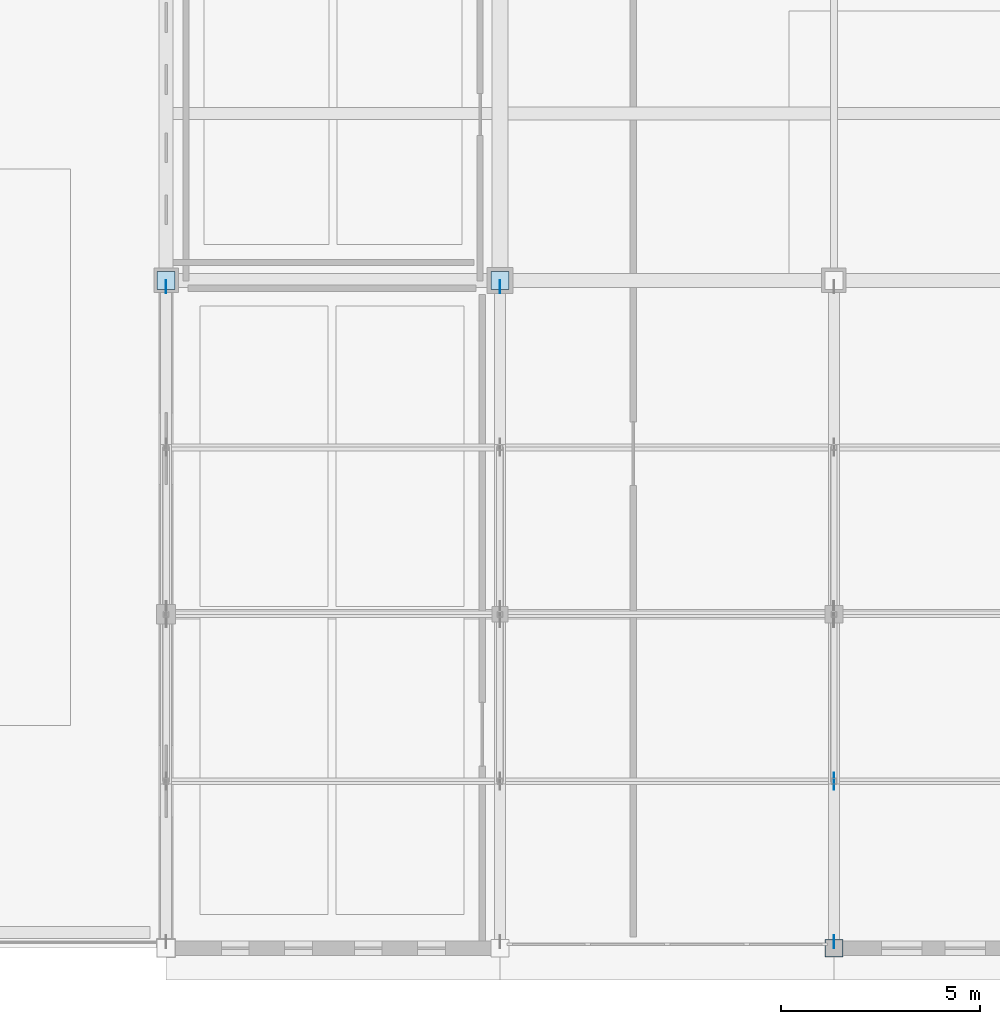
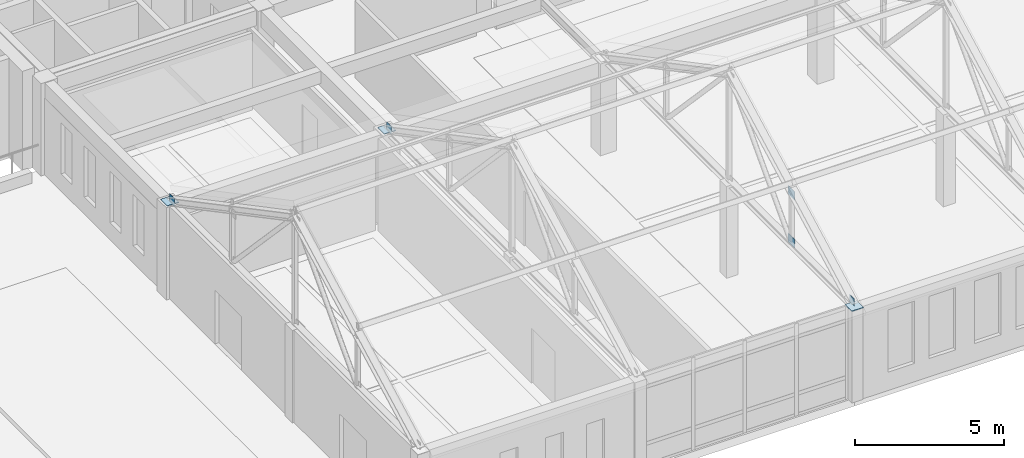
# One storey, part 27 of 47: 8 plates.
"""IFC4 building model written with IfcOpenShell, lengths in metres."""

import ifcopenshell
import ifcopenshell.guid

model = None  # the IFC model being written
_history = None  # IfcOwnerHistory: only IFC2X3 demands one
_inside = {}  # id of a spatial element -> (the spatial element, [elements in it])
_under = {}  # id of a project, library or spatial element -> (it, [spatial elements below it])
_declared = {}  # id of a project -> (the project, [libraries it declares])
_typed = {}  # id of a type object -> (the type object, [elements of that type])
_made_of = {}  # id of a material, layer set ... -> (it, [elements and type objects made of it])


def new_model(schema):
    """Start an empty IFC model of exactly this schema.

    Asked for "IFC4X3", IfcOpenShell would pick the latest addendum, in which some entities
    have other attributes; the version numbers below select the first issue.
    IFC2X3 requires an IfcOwnerHistory on every rooted entity: one is made here for all.
    """
    global model, _history
    if schema == "IFC4X3":
        model = ifcopenshell.file(schema_version=(4, 3, 0, 0))
    else:
        model = ifcopenshell.file(schema=schema)
    _inside.clear()
    _under.clear()
    _declared.clear()
    _typed.clear()
    _made_of.clear()
    _history = None
    if model.schema == "IFC2X3":
        org = make("IfcOrganization", Name="unknown")
        user = make(
            "IfcPersonAndOrganization",
            ThePerson=make("IfcPerson", FamilyName="unknown"),
            TheOrganization=org,
        )
        app = make(
            "IfcApplication",
            ApplicationDeveloper=org,
            Version="unknown",
            ApplicationFullName="unknown",
            ApplicationIdentifier="unknown",
        )
        _history = make(
            "IfcOwnerHistory",
            OwningUser=user,
            OwningApplication=app,
            ChangeAction="ADDED",
            CreationDate=0,
        )
    return model


def make(cls, **values):
    """One entity of the class cls with the attributes given. An attribute that is None is left unset."""
    return model.create_entity(
        cls, **{name: value for name, value in values.items() if value is not None}
    )


def rooted(cls, **values):
    """An entity with a GlobalId (a new one), such as an element, a storey or a relation."""
    return make(cls, GlobalId=ifcopenshell.guid.new(), OwnerHistory=_history, **values)


def si_unit(unit_type, name, prefix=None):
    """IfcSIUnit, for example si_unit("LENGTHUNIT", "METRE", prefix="MILLI")."""
    return make("IfcSIUnit", UnitType=unit_type, Prefix=prefix, Name=name)


def assignment(units):
    """IfcUnitAssignment: the units of a project."""
    return None if units is None else make("IfcUnitAssignment", Units=units)


def point(xyz):
    """IfcCartesianPoint."""
    return None if xyz is None else make("IfcCartesianPoint", Coordinates=xyz)


def direction(xyz):
    """IfcDirection."""
    return None if xyz is None else make("IfcDirection", DirectionRatios=xyz)


def frame(location, z_axis=None, x_axis=None):
    """IfcAxis2Placement3D, a coordinate frame: its origin and axes. An axis left out is left unset."""
    return make(
        "IfcAxis2Placement3D",
        Location=point(location),
        Axis=direction(z_axis),
        RefDirection=direction(x_axis),
    )


def frame_2d(location, x_axis=None):
    """IfcAxis2Placement2D, a coordinate frame in the plane: its origin and x axis."""
    return make(
        "IfcAxis2Placement2D", Location=point(location), RefDirection=direction(x_axis)
    )


def origin():
    """The frame at (0, 0, 0) with its axes left unset."""
    return frame((0.0, 0.0, 0.0))


def origin_2d():
    """The frame at (0, 0) in the plane with its x axis left unset."""
    return frame_2d((0.0, 0.0))


def place(relative_to, where):
    """IfcLocalPlacement: puts the frame where relative to a parent placement (None: the world)."""
    return make(
        "IfcLocalPlacement", PlacementRelTo=relative_to, RelativePlacement=where
    )


def context(
    kind, dimensions, precision=None, world=None, true_north=None, identifier=None
):
    """IfcGeometricRepresentationContext, for example the 3D "Model" context."""
    return make(
        "IfcGeometricRepresentationContext",
        ContextIdentifier=identifier,
        ContextType=kind,
        CoordinateSpaceDimension=dimensions,
        Precision=precision,
        WorldCoordinateSystem=world,
        TrueNorth=true_north,
    )


def subcontext(parent, identifier, kind, view, scale=None):
    """IfcGeometricRepresentationSubContext, for example "Body" below "Model"."""
    return make(
        "IfcGeometricRepresentationSubContext",
        ContextIdentifier=identifier,
        ContextType=kind,
        ParentContext=parent,
        TargetScale=scale,
        TargetView=view,
    )


def project(units=None, contexts=None):
    """IfcProject with its units and contexts."""
    return rooted(
        "IfcProject",
        Name="project",
        RepresentationContexts=contexts,
        UnitsInContext=assignment(units),
    )


def spatial(cls, under=None, at=None, **own):
    """A site, building, storey or space (cls), placed at a placement, below another one or the project."""
    s = rooted(cls, ObjectPlacement=at, **own)
    if under is not None:
        _under.setdefault(under.id(), (under, []))[1].append(s)
    return s


def profile(cls, at=None, kind="AREA", **sizes):
    """A parametric profile (cls). Its sizes go by their IFC names, for example OverallWidth=200.0."""
    return make(cls, ProfileType=kind, Position=at, **sizes)


def rectangle(**sizes):
    """IfcRectangleProfileDef."""
    return profile("IfcRectangleProfileDef", **sizes)


def extrude(swept, where, along, depth):
    """IfcExtrudedAreaSolid: the profile swept, set in the frame where, extruded along a direction by depth."""
    return make(
        "IfcExtrudedAreaSolid",
        SweptArea=swept,
        Position=where,
        ExtrudedDirection=direction(along),
        Depth=depth,
    )


def shape(context_of_items, identifier, shape_type, items):
    """IfcShapeRepresentation: the items that make up one representation, for example the "Body"."""
    return make(
        "IfcShapeRepresentation",
        ContextOfItems=context_of_items,
        RepresentationIdentifier=identifier,
        RepresentationType=shape_type,
        Items=items,
    )


def material(Name=None, Category=None):
    """IfcMaterial."""
    return make("IfcMaterial", Name=Name, Category=Category)


def layer(
    of_material, thickness, ventilated=None, Name=None, Category=None, Priority=None
):
    """IfcMaterialLayer: one layer of a wall or slab, of a material (None: an air gap)."""
    return make(
        "IfcMaterialLayer",
        Material=of_material,
        LayerThickness=thickness,
        IsVentilated=ventilated,
        Name=Name,
        Category=Category,
        Priority=Priority,
    )


def layer_set(layers, Name=None):
    """IfcMaterialLayerSet."""
    return make("IfcMaterialLayerSet", MaterialLayers=layers, LayerSetName=Name)


def made_of(thing, what):
    """Note that an element or type object is made of a material, layer set ...; save() writes the relation."""
    if what is not None:
        _made_of.setdefault(what.id(), (what, []))[1].append(thing)
    return thing


def type_object(cls, material=None, **own):
    """A type object (cls), such as IfcWallType, which elements share."""
    return made_of(rooted(cls, **own), material)


def element(
    cls,
    number,
    at=None,
    inside=None,
    cuts=None,
    type_object=None,
    material=None,
    context=None,
    identifier="Body",
    shape_type=None,
    held_by="IfcProductDefinitionShape",
    body=None,
    shapes=None,
    **own,
):
    """One element of the class cls, such as IfcWall. Its Tag is "e" and its number.

    at: its placement. inside: the storey or other place that contains it. cuts: it is an
    opening in that element (IfcRelVoidsElement). A single representation is given by context,
    identifier, shape_type and body (its items); several are given by shapes. held_by: the class
    of the entity that holds the representations. save() writes the other relations.
    """
    e = rooted(cls, Tag="e%d" % number, ObjectPlacement=at, **own)
    if body is not None:
        shapes = [shape(context, identifier, shape_type, body)]
    if shapes is not None:
        e.Representation = make(held_by, Representations=shapes)
    if inside is not None:
        _inside.setdefault(inside.id(), (inside, []))[1].append(e)
    if cuts is not None:
        rooted(
            "IfcRelVoidsElement", RelatingBuildingElement=cuts, RelatedOpeningElement=e
        )
    if type_object is not None:
        _typed.setdefault(type_object.id(), (type_object, []))[1].append(e)
    return made_of(e, material)


def aggregate(whole, parts):
    """IfcRelAggregates: a whole, such as a stair, and the parts it consists of."""
    return rooted("IfcRelAggregates", RelatingObject=whole, RelatedObjects=parts)


def save(model, path):
    """Write the relations noted so far, then the file.

    IfcRelAggregates (storeys below a building ...), IfcRelContainedInSpatialStructure (elements
    in a storey), IfcRelDefinesByType, IfcRelAssociatesMaterial and IfcRelDeclares: one each for
    every whole, place, type object, material and project.
    """
    for whole, parts in _under.values():
        aggregate(whole, parts)
    for where, things in _inside.values():
        rooted(
            "IfcRelContainedInSpatialStructure",
            RelatedElements=things,
            RelatingStructure=where,
        )
    for kind, things in _typed.values():
        rooted("IfcRelDefinesByType", RelatedObjects=things, RelatingType=kind)
    for what, things in _made_of.values():
        rooted("IfcRelAssociatesMaterial", RelatedObjects=things, RelatingMaterial=what)
    for by, libraries in _declared.values():
        rooted("IfcRelDeclares", RelatingContext=by, RelatedDefinitions=libraries)
    model.write(path)


model = new_model("IFC4")

# Units and contexts
model_context = context("Model", 3, precision=1e-05, world=origin(), true_north=direction((0.0, 1.0)))
body_context = subcontext(model_context, "Body", "Model", "MODEL_VIEW")
ifc_project = project(units=[si_unit("LENGTHUNIT", "METRE"), si_unit("AREAUNIT", "SQUARE_METRE"), si_unit("VOLUMEUNIT", "CUBIC_METRE"), si_unit("PLANEANGLEUNIT", "RADIAN"), si_unit("MASSUNIT", "GRAM", prefix="KILO")], contexts=[model_context])

# Site, building, storey
site_placement = place(None, origin())
site = spatial("IfcSite", under=ifc_project, at=site_placement, CompositionType="ELEMENT")
building_placement = place(site_placement, origin())
building = spatial("IfcBuilding", under=site, at=building_placement, Name="Kveldsbrygga Polytechnic", CompositionType="ELEMENT")
storey_placement = place(building_placement, frame((0.0, 0.0, 13.93994140625)))
storey = spatial("IfcBuildingStorey", under=building, at=storey_placement, Name="L03", CompositionType="ELEMENT", Elevation=13.93994140625)

# Plates
ifc_material = material(Name="Steel S355", Category="steel")
ifc_layer_1 = layer(ifc_material, 0.030029296875)
ifc_layer_set_1 = layer_set([ifc_layer_1], Name="Steel S355")
plate_type_1 = type_object("IfcPlateType", Name="CAP-BEAR-450", PredefinedType="SHEET", material=ifc_layer_set_1)
for number, where, z_axis, x_axis, name in (
    (1, (126.0, 16.800048828125, 3.75), (0.0, 0.0, 1.0), (1.0, 0.0, 0.0), "Truss Bearing Plate V4S4-T01-B"),
    (2, (134.39990234375, 16.800048828125, 3.75), (0.0, 0.0, 1.0), (1.0, 0.0, 0.0), "Truss Bearing Plate V4S4-T02-B"),
    (3, (142.800048828125, 0.0, 3.75), (0.0, 0.0, 1.0), (1.0, 0.0, 0.0), "Truss Bearing Plate V4S4-T03-A"),
):
    element("IfcPlate", number, at=place(storey_placement, frame(where, z_axis=z_axis, x_axis=x_axis)), inside=storey, type_object=plate_type_1, Name=name, PredefinedType="SHEET", context=body_context, shape_type="SweptSolid", body=[
        extrude(rectangle(XDim=0.449951171875, YDim=0.449951171875, at=origin_2d()), origin(), (0.0, 0.0, 1.0), 0.030029296875),
    ])
ifc_layer_2 = layer(ifc_material, 0.01806640625)
ifc_layer_set_2 = layer_set([ifc_layer_2], Name="Steel S355")
plate_type_2 = type_object("IfcPlateType", Name="GUS-BRACE-320", PredefinedType="SHEET", material=ifc_layer_set_2)
for number, where, z_axis, x_axis, name in (
    (4, (126.0, 16.639892578125, 3.740234375), (0.0, 0.0, 1.0), (1.0, 0.0, 0.0), "Truss Eaves Node Gusset V4S4-T01-EGP-B"),
    (5, (134.39990234375, 16.639892578125, 3.740234375), (0.0, 0.0, 1.0), (1.0, 0.0, 0.0), "Truss Eaves Node Gusset V4S4-T02-EGP-B"),
    (6, (142.800048828125, 0.159912109375, 3.740234375), (0.0, 0.0, 1.0), (1.0, 0.0, 0.0), "Truss Eaves Node Gusset V4S4-T03-EGP-A"),
):
    element("IfcPlate", number, at=place(storey_placement, frame(where, z_axis=z_axis, x_axis=x_axis)), inside=storey, type_object=plate_type_2, Name=name, PredefinedType="SHEET", context=body_context, shape_type="SweptSolid", body=[
        extrude(rectangle(XDim=0.01806640625, YDim=0.320068359375, at=origin_2d()), origin(), (0.0, 0.0, 1.0), 0.320068359375),
    ])
ifc_layer_3 = layer(ifc_material, 0.02001953125)
ifc_layer_set_3 = layer_set([ifc_layer_3], Name="Steel S355")
plate_type_3 = type_object("IfcPlateType", Name="GUS-LECT-420", PredefinedType="SHEET", material=ifc_layer_set_3)
for number, where, z_axis, x_axis, name in (
    (7, (142.800048828125, 4.199951171875, 5.679931640625), (0.0, 0.0, 1.0), (1.0, 0.0, 0.0), "Truss Gusset Plate V4S4-T03-GP-1"),
    (8, (142.800048828125, 4.199951171875, 3.72509765625), (0.0, 0.0, 1.0), (1.0, 0.0, 0.0), "Truss Bottom-Chord Node Gusset V4S4-T03-BGP-1"),
):
    element("IfcPlate", number, at=place(storey_placement, frame(where, z_axis=z_axis, x_axis=x_axis)), inside=storey, type_object=plate_type_3, Name=name, PredefinedType="SHEET", context=body_context, shape_type="SweptSolid", body=[
        extrude(rectangle(XDim=0.02001953125, YDim=0.419921875, at=origin_2d()), origin(), (0.0, 0.0, 1.0), 0.35009765625),
    ])

save(model, "model.ifc")
